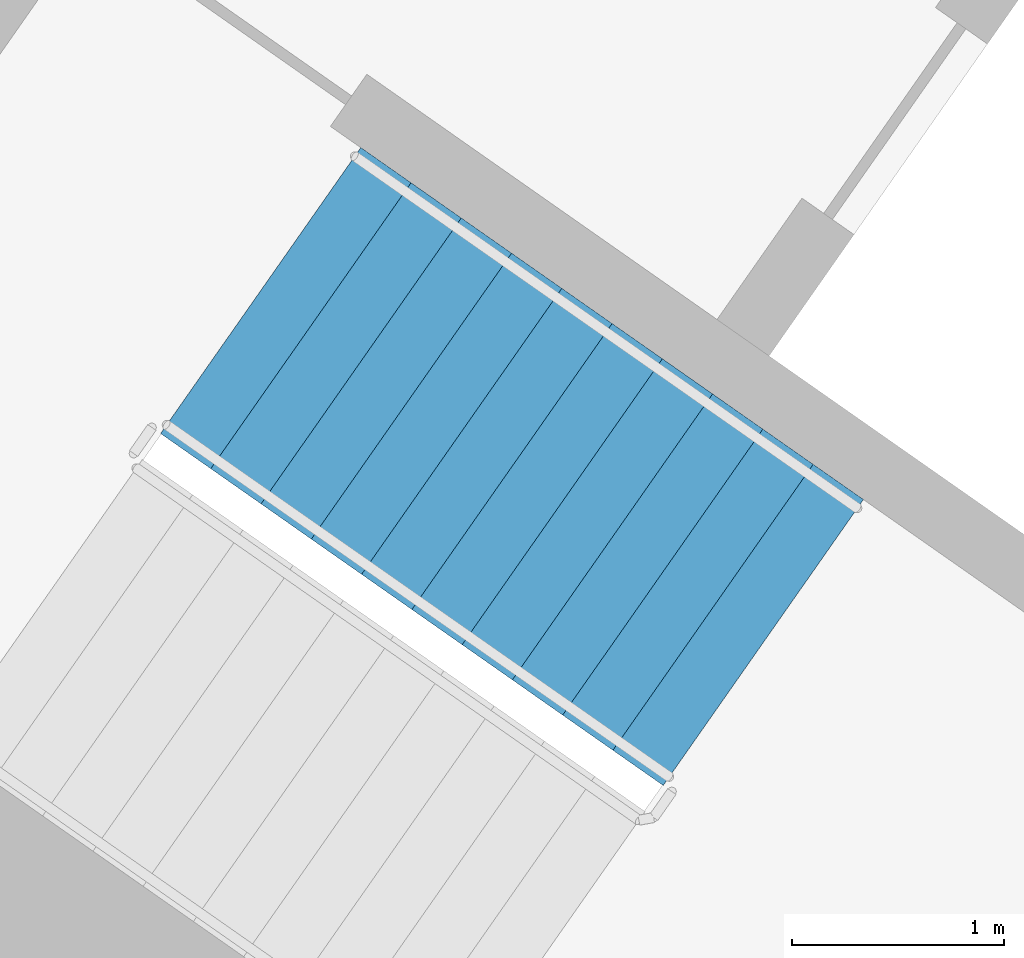
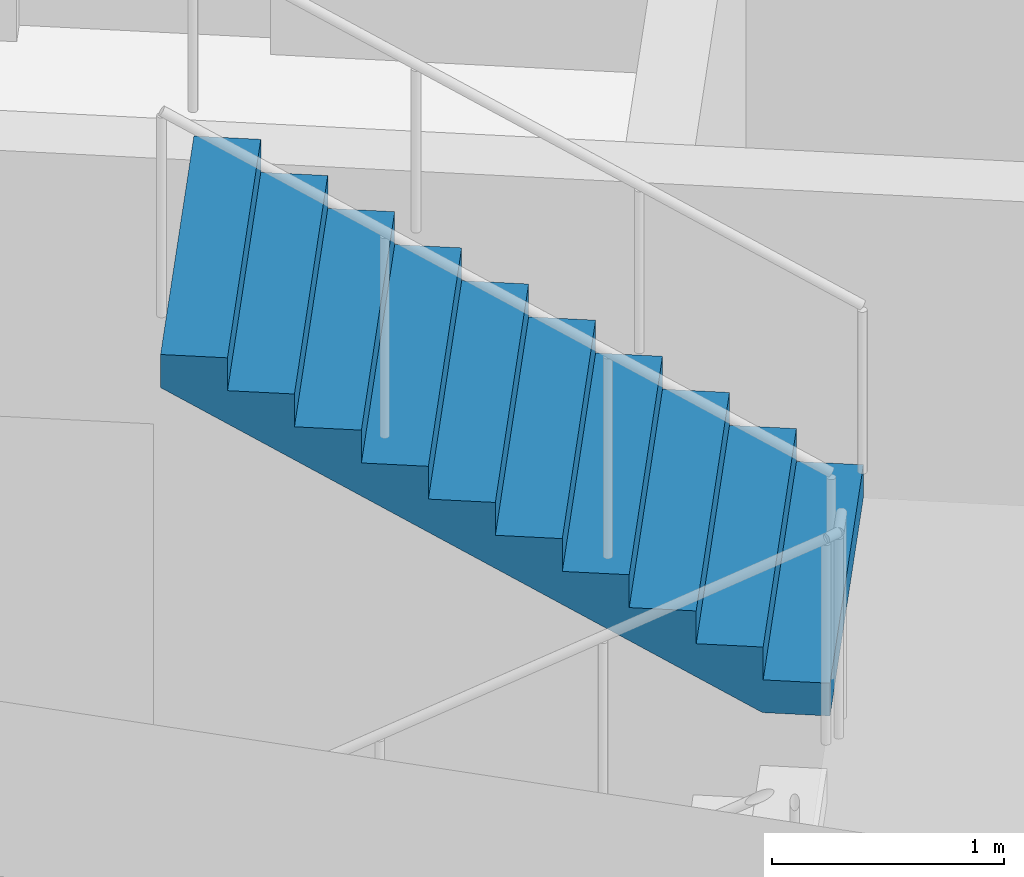
# One storey, part 12 of 29: 1 stair flight, 1 element without a shape of its own.
"""IFC4 building model written with IfcOpenShell, lengths in metres."""

from ifc_helpers import new_model, si_unit, direction, frame, origin, place, context, subcontext, project, spatial, faceted_brep, material, type_object, element, aggregate, save


model = new_model("IFC4")

# Units and contexts
model_context = context("Model", 3, precision=1e-05, world=origin(), true_north=direction((0.0, 1.0)))
body_context = subcontext(model_context, "Body", "Model", "MODEL_VIEW")
ifc_project = project(units=[si_unit("LENGTHUNIT", "METRE"), si_unit("AREAUNIT", "SQUARE_METRE"), si_unit("VOLUMEUNIT", "CUBIC_METRE"), si_unit("PLANEANGLEUNIT", "RADIAN"), si_unit("MASSUNIT", "GRAM", prefix="KILO")], contexts=[model_context])

# Site, building, storey
site_placement = place(None, origin())
site = spatial("IfcSite", under=ifc_project, at=site_placement, CompositionType="ELEMENT")
building_placement = place(site_placement, origin())
building = spatial("IfcBuilding", under=site, at=building_placement, Name="Qamariyya Broadcast Tower", CompositionType="ELEMENT")
storey_placement = place(building_placement, frame((0.0, 0.0, 129.10009765625)))
storey = spatial("IfcBuildingStorey", under=building, at=storey_placement, Name="L29", CompositionType="ELEMENT", Elevation=129.10009765625)

# Stair, stair flight
ifc_material = material(Name="Concrete C50/60", Category="concrete")
stair_type = type_object("IfcStairType", Name="Exit stair 22 risers of 173 mm", PredefinedType="HALF_TURN_STAIR", material=ifc_material)
stair_placement = place(storey_placement, origin())
stair = element("IfcStair", 1, at=stair_placement, inside=storey, type_object=stair_type, Name="L29 Stair W1", PredefinedType="HALF_TURN_STAIR")
stair_flight_type = type_object("IfcStairFlightType", Name="Exit stair flight 11 risers of 173 mm", PredefinedType="STRAIGHT", material=ifc_material)
stair_flight_placement = place(storey_placement, frame((-43.660888671875, -57.17138671875, 1.89990234375), z_axis=(0.0, 0.0, 1.0), x_axis=(-0.819152044289, 0.573576436351, 0.0)))
stair_flight = element("IfcStairFlight", 2, at=stair_flight_placement, type_object=stair_flight_type, Name="ST-W1 flight 2", NumberOfRisers=11, NumberOfTreads=10, PredefinedType="STRAIGHT", RiserHeight=0.172727273, TreadLength=0.29, context=body_context, shape_type="Brep", body=[
    faceted_brep([(0.0, 0.824951171875, 0.0), (0.0, 0.824951171875, 0.172607421875), (0.2900390625, 0.824951171875, 0.172607421875), (0.2900390625, 0.824951171875, 0.345458984375), (0.580078125, 0.824951171875, 0.345458984375), (0.580078125, 0.824951171875, 0.51806640625), (0.8701171875, 0.824951171875, 0.51806640625), (0.8701171875, 0.824951171875, 0.69091796875), (1.159912109375, 0.824951171875, 0.69091796875), (1.159912109375, 0.824951171875, 0.863525390625), (1.449951171875, 0.824951171875, 0.863525390625), (1.449951171875, 0.824951171875, 1.036376953125), (1.739990234375, 0.824951171875, 1.036376953125), (1.739990234375, 0.824951171875, 1.208984375), (2.030029296875, 0.824951171875, 1.208984375), (2.030029296875, 0.824951171875, 1.3818359375), (2.320068359375, 0.824951171875, 1.3818359375), (2.320068359375, 0.824951171875, 1.554443359375), (2.610107421875, 0.824951171875, 1.554443359375), (2.610107421875, 0.824951171875, 1.727294921875), (2.89990234375, 0.824951171875, 1.727294921875), (2.89990234375, 0.824951171875, 1.552734375), (0.29296875, 0.824951171875, 0.0), (0.29296875, -0.824951171875, 0.0), (2.89990234375, -0.824951171875, 1.552734375), (2.89990234375, -0.824951171875, 1.727294921875), (2.610107421875, -0.824951171875, 1.727294921875), (2.610107421875, -0.824951171875, 1.554443359375), (2.320068359375, -0.824951171875, 1.554443359375), (2.320068359375, -0.824951171875, 1.3818359375), (2.030029296875, -0.824951171875, 1.3818359375), (2.030029296875, -0.824951171875, 1.208984375), (1.739990234375, -0.824951171875, 1.208984375), (1.739990234375, -0.824951171875, 1.036376953125), (1.449951171875, -0.824951171875, 1.036376953125), (1.449951171875, -0.824951171875, 0.863525390625), (1.159912109375, -0.824951171875, 0.863525390625), (1.159912109375, -0.824951171875, 0.69091796875), (0.8701171875, -0.824951171875, 0.69091796875), (0.8701171875, -0.824951171875, 0.51806640625), (0.580078125, -0.824951171875, 0.51806640625), (0.580078125, -0.824951171875, 0.345458984375), (0.2900390625, -0.824951171875, 0.345458984375), (0.2900390625, -0.824951171875, 0.172607421875), (0.0, -0.824951171875, 0.172607421875), (0.0, -0.824951171875, 0.0), (0.0, 0.10009765625, 0.0), (0.0, 0.086669921875, 0.0), (0.0, 0.0732421875, 0.0), (0.0, 0.06005859375, 0.0), (0.0, 0.046630859375, 0.0), (0.0, 0.033447265625, 0.0), (0.0, 0.02001953125, 0.0), (0.0, 0.006591796875, 0.0), (0.0, -0.006591796875, 0.0), (0.0, -0.02001953125, 0.0), (0.0, -0.033447265625, 0.0), (0.0, -0.046630859375, 0.0), (0.0, -0.06005859375, 0.0), (0.0, -0.0732421875, 0.0), (0.0, -0.086669921875, 0.0), (0.0, -0.10009765625, 0.0), (0.0, -0.10009765625, 0.172607421875), (0.0, -0.086669921875, 0.172607421875), (0.0, -0.0732421875, 0.172607421875), (0.0, -0.06005859375, 0.172607421875), (0.0, -0.046630859375, 0.172607421875), (0.0, -0.033447265625, 0.172607421875), (0.0, -0.02001953125, 0.172607421875), (0.0, -0.006591796875, 0.172607421875), (0.0, 0.006591796875, 0.172607421875), (0.0, 0.02001953125, 0.172607421875), (0.0, 0.033447265625, 0.172607421875), (0.0, 0.046630859375, 0.172607421875), (0.0, 0.06005859375, 0.172607421875), (0.0, 0.0732421875, 0.172607421875), (0.0, 0.086669921875, 0.172607421875), (0.0, 0.10009765625, 0.172607421875), (0.2900390625, -0.10009765625, 0.172607421875), (0.2900390625, -0.086669921875, 0.172607421875), (0.2900390625, -0.0732421875, 0.172607421875), (0.2900390625, -0.06005859375, 0.172607421875), (0.2900390625, -0.046630859375, 0.172607421875), (0.2900390625, -0.033447265625, 0.172607421875), (0.2900390625, -0.02001953125, 0.172607421875), (0.2900390625, -0.006591796875, 0.172607421875), (0.2900390625, 0.006591796875, 0.172607421875), (0.2900390625, 0.02001953125, 0.172607421875), (0.2900390625, 0.033447265625, 0.172607421875), (0.2900390625, 0.046630859375, 0.172607421875), (0.2900390625, 0.06005859375, 0.172607421875), (0.2900390625, 0.0732421875, 0.172607421875), (0.2900390625, 0.086669921875, 0.172607421875), (0.2900390625, 0.10009765625, 0.172607421875), (0.2900390625, -0.10009765625, 0.345458984375), (0.2900390625, -0.086669921875, 0.345458984375), (0.2900390625, -0.0732421875, 0.345458984375), (0.2900390625, -0.06005859375, 0.345458984375), (0.2900390625, -0.046630859375, 0.345458984375), (0.2900390625, -0.033447265625, 0.345458984375), (0.2900390625, -0.02001953125, 0.345458984375), (0.2900390625, -0.006591796875, 0.345458984375), (0.2900390625, 0.006591796875, 0.345458984375), (0.2900390625, 0.02001953125, 0.345458984375), (0.2900390625, 0.033447265625, 0.345458984375), (0.2900390625, 0.046630859375, 0.345458984375), (0.2900390625, 0.06005859375, 0.345458984375), (0.2900390625, 0.0732421875, 0.345458984375), (0.2900390625, 0.086669921875, 0.345458984375), (0.2900390625, 0.10009765625, 0.345458984375), (0.580078125, -0.10009765625, 0.345458984375), (0.580078125, -0.086669921875, 0.345458984375), (0.580078125, -0.0732421875, 0.345458984375), (0.580078125, -0.06005859375, 0.345458984375), (0.580078125, -0.046630859375, 0.345458984375), (0.580078125, -0.033447265625, 0.345458984375), (0.580078125, -0.02001953125, 0.345458984375), (0.580078125, -0.006591796875, 0.345458984375), (0.580078125, 0.006591796875, 0.345458984375), (0.580078125, 0.02001953125, 0.345458984375), (0.580078125, 0.033447265625, 0.345458984375), (0.580078125, 0.046630859375, 0.345458984375), (0.580078125, 0.06005859375, 0.345458984375), (0.580078125, 0.0732421875, 0.345458984375), (0.580078125, 0.086669921875, 0.345458984375), (0.580078125, 0.10009765625, 0.345458984375), (0.580078125, -0.10009765625, 0.51806640625), (0.580078125, -0.086669921875, 0.51806640625), (0.580078125, -0.0732421875, 0.51806640625), (0.580078125, -0.06005859375, 0.51806640625), (0.580078125, -0.046630859375, 0.51806640625), (0.580078125, -0.033447265625, 0.51806640625), (0.580078125, -0.02001953125, 0.51806640625), (0.580078125, -0.006591796875, 0.51806640625), (0.580078125, 0.006591796875, 0.51806640625), (0.580078125, 0.02001953125, 0.51806640625), (0.580078125, 0.033447265625, 0.51806640625), (0.580078125, 0.046630859375, 0.51806640625), (0.580078125, 0.06005859375, 0.51806640625), (0.580078125, 0.0732421875, 0.51806640625), (0.580078125, 0.086669921875, 0.51806640625), (0.580078125, 0.10009765625, 0.51806640625), (0.8701171875, -0.10009765625, 0.51806640625), (0.8701171875, -0.086669921875, 0.51806640625), (0.8701171875, -0.0732421875, 0.51806640625), (0.8701171875, -0.06005859375, 0.51806640625), (0.8701171875, -0.046630859375, 0.51806640625), (0.8701171875, -0.033447265625, 0.51806640625), (0.8701171875, -0.02001953125, 0.51806640625), (0.8701171875, -0.006591796875, 0.51806640625), (0.8701171875, 0.006591796875, 0.51806640625), (0.8701171875, 0.02001953125, 0.51806640625), (0.8701171875, 0.033447265625, 0.51806640625), (0.8701171875, 0.046630859375, 0.51806640625), (0.8701171875, 0.06005859375, 0.51806640625), (0.8701171875, 0.0732421875, 0.51806640625), (0.8701171875, 0.086669921875, 0.51806640625), (0.8701171875, 0.10009765625, 0.51806640625), (0.8701171875, -0.10009765625, 0.69091796875), (0.8701171875, -0.086669921875, 0.69091796875), (0.8701171875, -0.0732421875, 0.69091796875), (0.8701171875, -0.06005859375, 0.69091796875), (0.8701171875, -0.046630859375, 0.69091796875), (0.8701171875, -0.033447265625, 0.69091796875), (0.8701171875, -0.02001953125, 0.69091796875), (0.8701171875, -0.006591796875, 0.69091796875), (0.8701171875, 0.006591796875, 0.69091796875), (0.8701171875, 0.02001953125, 0.69091796875), (0.8701171875, 0.033447265625, 0.69091796875), (0.8701171875, 0.046630859375, 0.69091796875), (0.8701171875, 0.06005859375, 0.69091796875), (0.8701171875, 0.0732421875, 0.69091796875), (0.8701171875, 0.086669921875, 0.69091796875), (0.8701171875, 0.10009765625, 0.69091796875), (1.159912109375, -0.10009765625, 0.69091796875), (1.159912109375, -0.086669921875, 0.69091796875), (1.159912109375, -0.0732421875, 0.69091796875), (1.159912109375, -0.06005859375, 0.69091796875), (1.159912109375, -0.046630859375, 0.69091796875), (1.159912109375, -0.033447265625, 0.69091796875), (1.159912109375, -0.02001953125, 0.69091796875), (1.159912109375, -0.006591796875, 0.69091796875), (1.159912109375, 0.006591796875, 0.69091796875), (1.159912109375, 0.02001953125, 0.69091796875), (1.159912109375, 0.033447265625, 0.69091796875), (1.159912109375, 0.046630859375, 0.69091796875), (1.159912109375, 0.06005859375, 0.69091796875), (1.159912109375, 0.0732421875, 0.69091796875), (1.159912109375, 0.086669921875, 0.69091796875), (1.159912109375, 0.10009765625, 0.69091796875), (1.159912109375, -0.10009765625, 0.863525390625), (1.159912109375, -0.086669921875, 0.863525390625), (1.159912109375, -0.0732421875, 0.863525390625), (1.159912109375, -0.06005859375, 0.863525390625), (1.159912109375, -0.046630859375, 0.863525390625), (1.159912109375, -0.033447265625, 0.863525390625), (1.159912109375, -0.02001953125, 0.863525390625), (1.159912109375, -0.006591796875, 0.863525390625), (1.159912109375, 0.006591796875, 0.863525390625), (1.159912109375, 0.02001953125, 0.863525390625), (1.159912109375, 0.033447265625, 0.863525390625), (1.159912109375, 0.046630859375, 0.863525390625), (1.159912109375, 0.06005859375, 0.863525390625), (1.159912109375, 0.0732421875, 0.863525390625), (1.159912109375, 0.086669921875, 0.863525390625), (1.159912109375, 0.10009765625, 0.863525390625), (1.449951171875, -0.10009765625, 0.863525390625), (1.449951171875, -0.086669921875, 0.863525390625), (1.449951171875, -0.0732421875, 0.863525390625), (1.449951171875, -0.06005859375, 0.863525390625), (1.449951171875, -0.046630859375, 0.863525390625), (1.449951171875, -0.033447265625, 0.863525390625), (1.449951171875, -0.02001953125, 0.863525390625), (1.449951171875, -0.006591796875, 0.863525390625), (1.449951171875, 0.006591796875, 0.863525390625), (1.449951171875, 0.02001953125, 0.863525390625), (1.449951171875, 0.033447265625, 0.863525390625), (1.449951171875, 0.046630859375, 0.863525390625), (1.449951171875, 0.06005859375, 0.863525390625), (1.449951171875, 0.0732421875, 0.863525390625), (1.449951171875, 0.086669921875, 0.863525390625), (1.449951171875, 0.10009765625, 0.863525390625), (1.449951171875, -0.10009765625, 1.036376953125), (1.449951171875, -0.086669921875, 1.036376953125), (1.449951171875, -0.0732421875, 1.036376953125), (1.449951171875, -0.06005859375, 1.036376953125), (1.449951171875, -0.046630859375, 1.036376953125), (1.449951171875, -0.033447265625, 1.036376953125), (1.449951171875, -0.02001953125, 1.036376953125), (1.449951171875, -0.006591796875, 1.036376953125), (1.449951171875, 0.006591796875, 1.036376953125), (1.449951171875, 0.02001953125, 1.036376953125), (1.449951171875, 0.033447265625, 1.036376953125), (1.449951171875, 0.046630859375, 1.036376953125), (1.449951171875, 0.06005859375, 1.036376953125), (1.449951171875, 0.0732421875, 1.036376953125), (1.449951171875, 0.086669921875, 1.036376953125), (1.449951171875, 0.10009765625, 1.036376953125), (1.739990234375, -0.10009765625, 1.036376953125), (1.739990234375, -0.086669921875, 1.036376953125), (1.739990234375, -0.0732421875, 1.036376953125), (1.739990234375, -0.06005859375, 1.036376953125), (1.739990234375, -0.046630859375, 1.036376953125), (1.739990234375, -0.033447265625, 1.036376953125), (1.739990234375, -0.02001953125, 1.036376953125), (1.739990234375, -0.006591796875, 1.036376953125), (1.739990234375, 0.006591796875, 1.036376953125), (1.739990234375, 0.02001953125, 1.036376953125), (1.739990234375, 0.033447265625, 1.036376953125), (1.739990234375, 0.046630859375, 1.036376953125), (1.739990234375, 0.06005859375, 1.036376953125), (1.739990234375, 0.0732421875, 1.036376953125), (1.739990234375, 0.086669921875, 1.036376953125), (1.739990234375, 0.10009765625, 1.036376953125), (1.739990234375, -0.10009765625, 1.208984375), (1.739990234375, -0.086669921875, 1.208984375), (1.739990234375, -0.0732421875, 1.208984375), (1.739990234375, -0.06005859375, 1.208984375), (1.739990234375, -0.046630859375, 1.208984375), (1.739990234375, -0.033447265625, 1.208984375), (1.739990234375, -0.02001953125, 1.208984375), (1.739990234375, -0.006591796875, 1.208984375), (1.739990234375, 0.006591796875, 1.208984375), (1.739990234375, 0.02001953125, 1.208984375), (1.739990234375, 0.033447265625, 1.208984375), (1.739990234375, 0.046630859375, 1.208984375), (1.739990234375, 0.06005859375, 1.208984375), (1.739990234375, 0.0732421875, 1.208984375), (1.739990234375, 0.086669921875, 1.208984375), (1.739990234375, 0.10009765625, 1.208984375), (2.030029296875, -0.10009765625, 1.208984375), (2.030029296875, -0.086669921875, 1.208984375), (2.030029296875, -0.0732421875, 1.208984375), (2.030029296875, -0.06005859375, 1.208984375), (2.030029296875, -0.046630859375, 1.208984375), (2.030029296875, -0.033447265625, 1.208984375), (2.030029296875, -0.02001953125, 1.208984375), (2.030029296875, -0.006591796875, 1.208984375), (2.030029296875, 0.006591796875, 1.208984375), (2.030029296875, 0.02001953125, 1.208984375), (2.030029296875, 0.033447265625, 1.208984375), (2.030029296875, 0.046630859375, 1.208984375), (2.030029296875, 0.06005859375, 1.208984375), (2.030029296875, 0.0732421875, 1.208984375), (2.030029296875, 0.086669921875, 1.208984375), (2.030029296875, 0.10009765625, 1.208984375), (2.030029296875, -0.10009765625, 1.3818359375), (2.030029296875, -0.086669921875, 1.3818359375), (2.030029296875, -0.0732421875, 1.3818359375), (2.030029296875, -0.06005859375, 1.3818359375), (2.030029296875, -0.046630859375, 1.3818359375), (2.030029296875, -0.033447265625, 1.3818359375), (2.030029296875, -0.02001953125, 1.3818359375), (2.030029296875, -0.006591796875, 1.3818359375), (2.030029296875, 0.006591796875, 1.3818359375), (2.030029296875, 0.02001953125, 1.3818359375), (2.030029296875, 0.033447265625, 1.3818359375), (2.030029296875, 0.046630859375, 1.3818359375), (2.030029296875, 0.06005859375, 1.3818359375), (2.030029296875, 0.0732421875, 1.3818359375), (2.030029296875, 0.086669921875, 1.3818359375), (2.030029296875, 0.10009765625, 1.3818359375), (2.320068359375, -0.10009765625, 1.3818359375), (2.320068359375, -0.086669921875, 1.3818359375), (2.320068359375, -0.0732421875, 1.3818359375), (2.320068359375, -0.06005859375, 1.3818359375), (2.320068359375, -0.046630859375, 1.3818359375), (2.320068359375, -0.033447265625, 1.3818359375), (2.320068359375, -0.02001953125, 1.3818359375), (2.320068359375, -0.006591796875, 1.3818359375), (2.320068359375, 0.006591796875, 1.3818359375), (2.320068359375, 0.02001953125, 1.3818359375), (2.320068359375, 0.033447265625, 1.3818359375), (2.320068359375, 0.046630859375, 1.3818359375), (2.320068359375, 0.06005859375, 1.3818359375), (2.320068359375, 0.0732421875, 1.3818359375), (2.320068359375, 0.086669921875, 1.3818359375), (2.320068359375, 0.10009765625, 1.3818359375), (2.320068359375, -0.10009765625, 1.554443359375), (2.320068359375, -0.086669921875, 1.554443359375), (2.320068359375, -0.0732421875, 1.554443359375), (2.320068359375, -0.06005859375, 1.554443359375), (2.320068359375, -0.046630859375, 1.554443359375), (2.320068359375, -0.033447265625, 1.554443359375), (2.320068359375, -0.02001953125, 1.554443359375), (2.320068359375, -0.006591796875, 1.554443359375), (2.320068359375, 0.006591796875, 1.554443359375), (2.320068359375, 0.02001953125, 1.554443359375), (2.320068359375, 0.033447265625, 1.554443359375), (2.320068359375, 0.046630859375, 1.554443359375), (2.320068359375, 0.06005859375, 1.554443359375), (2.320068359375, 0.0732421875, 1.554443359375), (2.320068359375, 0.086669921875, 1.554443359375), (2.320068359375, 0.10009765625, 1.554443359375), (2.610107421875, -0.10009765625, 1.554443359375), (2.610107421875, -0.086669921875, 1.554443359375), (2.610107421875, -0.0732421875, 1.554443359375), (2.610107421875, -0.06005859375, 1.554443359375), (2.610107421875, -0.046630859375, 1.554443359375), (2.610107421875, -0.033447265625, 1.554443359375), (2.610107421875, -0.02001953125, 1.554443359375), (2.610107421875, -0.006591796875, 1.554443359375), (2.610107421875, 0.006591796875, 1.554443359375), (2.610107421875, 0.02001953125, 1.554443359375), (2.610107421875, 0.033447265625, 1.554443359375), (2.610107421875, 0.046630859375, 1.554443359375), (2.610107421875, 0.06005859375, 1.554443359375), (2.610107421875, 0.0732421875, 1.554443359375), (2.610107421875, 0.086669921875, 1.554443359375), (2.610107421875, 0.10009765625, 1.554443359375), (2.610107421875, -0.10009765625, 1.727294921875), (2.610107421875, -0.086669921875, 1.727294921875), (2.610107421875, -0.0732421875, 1.727294921875), (2.610107421875, -0.06005859375, 1.727294921875), (2.610107421875, -0.046630859375, 1.727294921875), (2.610107421875, -0.033447265625, 1.727294921875), (2.610107421875, -0.02001953125, 1.727294921875), (2.610107421875, -0.006591796875, 1.727294921875), (2.610107421875, 0.006591796875, 1.727294921875), (2.610107421875, 0.02001953125, 1.727294921875), (2.610107421875, 0.033447265625, 1.727294921875), (2.610107421875, 0.046630859375, 1.727294921875), (2.610107421875, 0.06005859375, 1.727294921875), (2.610107421875, 0.0732421875, 1.727294921875), (2.610107421875, 0.086669921875, 1.727294921875), (2.610107421875, 0.10009765625, 1.727294921875), (2.89990234375, -0.10009765625, 1.727294921875), (2.89990234375, -0.086669921875, 1.727294921875), (2.89990234375, -0.0732421875, 1.727294921875), (2.89990234375, -0.06005859375, 1.727294921875), (2.89990234375, -0.046630859375, 1.727294921875), (2.89990234375, -0.033447265625, 1.727294921875), (2.89990234375, -0.02001953125, 1.727294921875), (2.89990234375, -0.006591796875, 1.727294921875), (2.89990234375, 0.006591796875, 1.727294921875), (2.89990234375, 0.02001953125, 1.727294921875), (2.89990234375, 0.033447265625, 1.727294921875), (2.89990234375, 0.046630859375, 1.727294921875), (2.89990234375, 0.06005859375, 1.727294921875), (2.89990234375, 0.0732421875, 1.727294921875), (2.89990234375, 0.086669921875, 1.727294921875), (2.89990234375, 0.10009765625, 1.727294921875), (2.89990234375, -0.10009765625, 1.552734375), (2.89990234375, -0.086669921875, 1.552734375), (2.89990234375, -0.0732421875, 1.552734375), (2.89990234375, -0.06005859375, 1.552734375), (2.89990234375, -0.046630859375, 1.552734375), (2.89990234375, -0.033447265625, 1.552734375), (2.89990234375, -0.02001953125, 1.552734375), (2.89990234375, -0.006591796875, 1.552734375), (2.89990234375, 0.006591796875, 1.552734375), (2.89990234375, 0.02001953125, 1.552734375), (2.89990234375, 0.033447265625, 1.552734375), (2.89990234375, 0.046630859375, 1.552734375), (2.89990234375, 0.06005859375, 1.552734375), (2.89990234375, 0.0732421875, 1.552734375), (2.89990234375, 0.086669921875, 1.552734375), (2.89990234375, 0.10009765625, 1.552734375), (0.29296875, -0.10009765625, 0.0), (0.29296875, -0.086669921875, 0.0), (0.29296875, -0.0732421875, 0.0), (0.29296875, -0.06005859375, 0.0), (0.29296875, -0.046630859375, 0.0), (0.29296875, -0.033447265625, 0.0), (0.29296875, -0.02001953125, 0.0), (0.29296875, -0.006591796875, 0.0), (0.29296875, 0.006591796875, 0.0), (0.29296875, 0.02001953125, 0.0), (0.29296875, 0.033447265625, 0.0), (0.29296875, 0.046630859375, 0.0), (0.29296875, 0.06005859375, 0.0), (0.29296875, 0.0732421875, 0.0), (0.29296875, 0.086669921875, 0.0), (0.29296875, 0.10009765625, 0.0)], [[[0, 1, 2, 3, 4, 5, 6, 7, 8, 9, 10, 11, 12, 13, 14, 15, 16, 17, 18, 19, 20, 21, 22]], [[23, 24, 25, 26, 27, 28, 29, 30, 31, 32, 33, 34, 35, 36, 37, 38, 39, 40, 41, 42, 43, 44, 45]], [[0, 46, 47, 48, 49, 50, 51, 52, 53, 54, 55, 56, 57, 58, 59, 60, 61, 45, 44, 62, 63, 64, 65, 66, 67, 68, 69, 70, 71, 72, 73, 74, 75, 76, 77, 1]], [[1, 77, 76, 75, 74, 73, 72, 71, 70, 69, 68, 67, 66, 65, 64, 63, 62, 44, 43, 78, 79, 80, 81, 82, 83, 84, 85, 86, 87, 88, 89, 90, 91, 92, 93, 2]], [[2, 93, 92, 91, 90, 89, 88, 87, 86, 85, 84, 83, 82, 81, 80, 79, 78, 43, 42, 94, 95, 96, 97, 98, 99, 100, 101, 102, 103, 104, 105, 106, 107, 108, 109, 3]], [[3, 109, 108, 107, 106, 105, 104, 103, 102, 101, 100, 99, 98, 97, 96, 95, 94, 42, 41, 110, 111, 112, 113, 114, 115, 116, 117, 118, 119, 120, 121, 122, 123, 124, 125, 4]], [[4, 125, 124, 123, 122, 121, 120, 119, 118, 117, 116, 115, 114, 113, 112, 111, 110, 41, 40, 126, 127, 128, 129, 130, 131, 132, 133, 134, 135, 136, 137, 138, 139, 140, 141, 5]], [[5, 141, 140, 139, 138, 137, 136, 135, 134, 133, 132, 131, 130, 129, 128, 127, 126, 40, 39, 142, 143, 144, 145, 146, 147, 148, 149, 150, 151, 152, 153, 154, 155, 156, 157, 6]], [[6, 157, 156, 155, 154, 153, 152, 151, 150, 149, 148, 147, 146, 145, 144, 143, 142, 39, 38, 158, 159, 160, 161, 162, 163, 164, 165, 166, 167, 168, 169, 170, 171, 172, 173, 7]], [[7, 173, 172, 171, 170, 169, 168, 167, 166, 165, 164, 163, 162, 161, 160, 159, 158, 38, 37, 174, 175, 176, 177, 178, 179, 180, 181, 182, 183, 184, 185, 186, 187, 188, 189, 8]], [[8, 189, 188, 187, 186, 185, 184, 183, 182, 181, 180, 179, 178, 177, 176, 175, 174, 37, 36, 190, 191, 192, 193, 194, 195, 196, 197, 198, 199, 200, 201, 202, 203, 204, 205, 9]], [[9, 205, 204, 203, 202, 201, 200, 199, 198, 197, 196, 195, 194, 193, 192, 191, 190, 36, 35, 206, 207, 208, 209, 210, 211, 212, 213, 214, 215, 216, 217, 218, 219, 220, 221, 10]], [[10, 221, 220, 219, 218, 217, 216, 215, 214, 213, 212, 211, 210, 209, 208, 207, 206, 35, 34, 222, 223, 224, 225, 226, 227, 228, 229, 230, 231, 232, 233, 234, 235, 236, 237, 11]], [[11, 237, 236, 235, 234, 233, 232, 231, 230, 229, 228, 227, 226, 225, 224, 223, 222, 34, 33, 238, 239, 240, 241, 242, 243, 244, 245, 246, 247, 248, 249, 250, 251, 252, 253, 12]], [[12, 253, 252, 251, 250, 249, 248, 247, 246, 245, 244, 243, 242, 241, 240, 239, 238, 33, 32, 254, 255, 256, 257, 258, 259, 260, 261, 262, 263, 264, 265, 266, 267, 268, 269, 13]], [[13, 269, 268, 267, 266, 265, 264, 263, 262, 261, 260, 259, 258, 257, 256, 255, 254, 32, 31, 270, 271, 272, 273, 274, 275, 276, 277, 278, 279, 280, 281, 282, 283, 284, 285, 14]], [[14, 285, 284, 283, 282, 281, 280, 279, 278, 277, 276, 275, 274, 273, 272, 271, 270, 31, 30, 286, 287, 288, 289, 290, 291, 292, 293, 294, 295, 296, 297, 298, 299, 300, 301, 15]], [[15, 301, 300, 299, 298, 297, 296, 295, 294, 293, 292, 291, 290, 289, 288, 287, 286, 30, 29, 302, 303, 304, 305, 306, 307, 308, 309, 310, 311, 312, 313, 314, 315, 316, 317, 16]], [[16, 317, 316, 315, 314, 313, 312, 311, 310, 309, 308, 307, 306, 305, 304, 303, 302, 29, 28, 318, 319, 320, 321, 322, 323, 324, 325, 326, 327, 328, 329, 330, 331, 332, 333, 17]], [[17, 333, 332, 331, 330, 329, 328, 327, 326, 325, 324, 323, 322, 321, 320, 319, 318, 28, 27, 334, 335, 336, 337, 338, 339, 340, 341, 342, 343, 344, 345, 346, 347, 348, 349, 18]], [[18, 349, 348, 347, 346, 345, 344, 343, 342, 341, 340, 339, 338, 337, 336, 335, 334, 27, 26, 350, 351, 352, 353, 354, 355, 356, 357, 358, 359, 360, 361, 362, 363, 364, 365, 19]], [[19, 365, 364, 363, 362, 361, 360, 359, 358, 357, 356, 355, 354, 353, 352, 351, 350, 26, 25, 366, 367, 368, 369, 370, 371, 372, 373, 374, 375, 376, 377, 378, 379, 380, 381, 20]], [[20, 381, 380, 379, 378, 377, 376, 375, 374, 373, 372, 371, 370, 369, 368, 367, 366, 25, 24, 382, 383, 384, 385, 386, 387, 388, 389, 390, 391, 392, 393, 394, 395, 396, 397, 21]], [[21, 397, 396, 395, 394, 393, 392, 391, 390, 389, 388, 387, 386, 385, 384, 383, 382, 24, 23, 398, 399, 400, 401, 402, 403, 404, 405, 406, 407, 408, 409, 410, 411, 412, 413, 22]], [[22, 413, 412, 411, 410, 409, 408, 407, 406, 405, 404, 403, 402, 401, 400, 399, 398, 23, 45, 61, 60, 59, 58, 57, 56, 55, 54, 53, 52, 51, 50, 49, 48, 47, 46, 0]]]),
])
aggregate(stair, [stair_flight])

save(model, "model.ifc")
